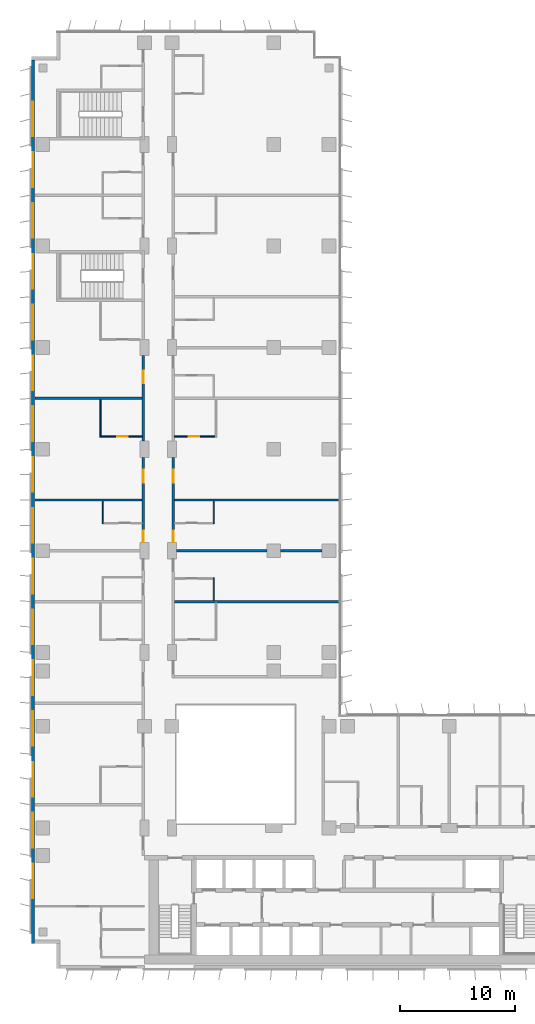
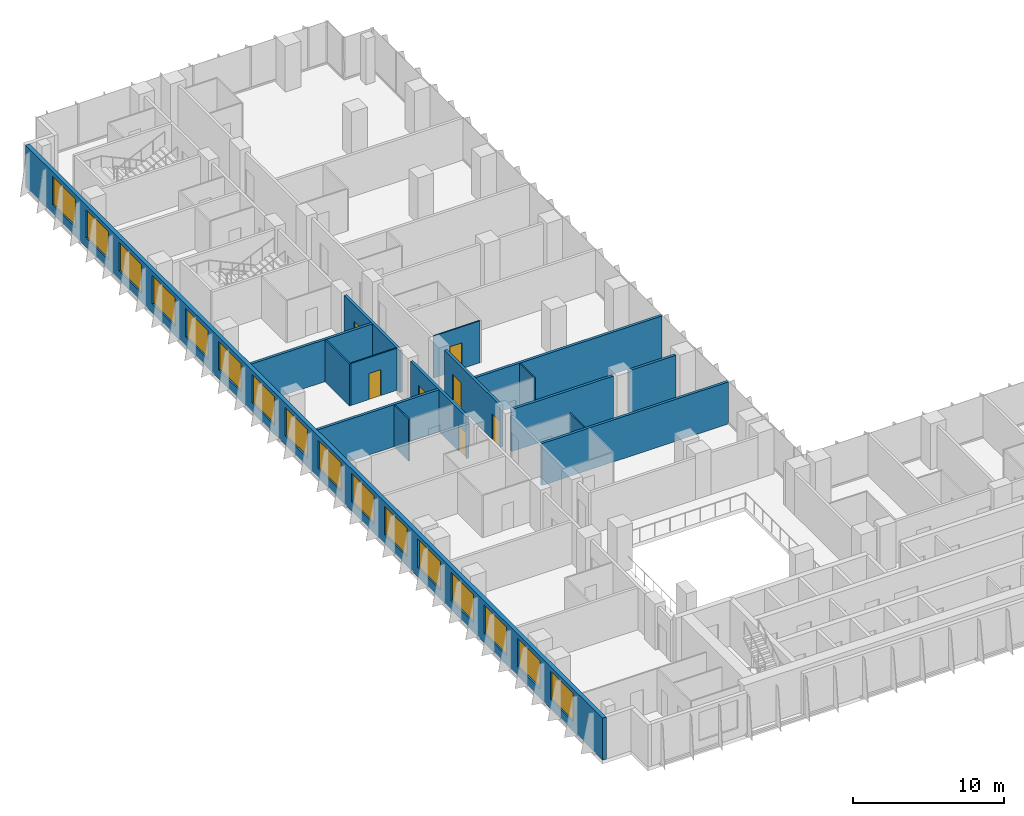
# One storey, part 16 of 23: 16 walls, 16 windows, 7 doors, 23 openings.
"""IFC4 building model written with IfcOpenShell, lengths in metres."""

import ifcopenshell
import ifcopenshell.guid

model = None  # the IFC model being written
_history = None  # IfcOwnerHistory: only IFC2X3 demands one
_inside = {}  # id of a spatial element -> (the spatial element, [elements in it])
_under = {}  # id of a project, library or spatial element -> (it, [spatial elements below it])
_declared = {}  # id of a project -> (the project, [libraries it declares])
_typed = {}  # id of a type object -> (the type object, [elements of that type])
_made_of = {}  # id of a material, layer set ... -> (it, [elements and type objects made of it])


def new_model(schema):
    """Start an empty IFC model of exactly this schema.

    Asked for "IFC4X3", IfcOpenShell would pick the latest addendum, in which some entities
    have other attributes; the version numbers below select the first issue.
    IFC2X3 requires an IfcOwnerHistory on every rooted entity: one is made here for all.
    """
    global model, _history
    if schema == "IFC4X3":
        model = ifcopenshell.file(schema_version=(4, 3, 0, 0))
    else:
        model = ifcopenshell.file(schema=schema)
    _inside.clear()
    _under.clear()
    _declared.clear()
    _typed.clear()
    _made_of.clear()
    _history = None
    if model.schema == "IFC2X3":
        org = make("IfcOrganization", Name="unknown")
        user = make(
            "IfcPersonAndOrganization",
            ThePerson=make("IfcPerson", FamilyName="unknown"),
            TheOrganization=org,
        )
        app = make(
            "IfcApplication",
            ApplicationDeveloper=org,
            Version="unknown",
            ApplicationFullName="unknown",
            ApplicationIdentifier="unknown",
        )
        _history = make(
            "IfcOwnerHistory",
            OwningUser=user,
            OwningApplication=app,
            ChangeAction="ADDED",
            CreationDate=0,
        )
    return model


def make(cls, **values):
    """One entity of the class cls with the attributes given. An attribute that is None is left unset."""
    return model.create_entity(
        cls, **{name: value for name, value in values.items() if value is not None}
    )


def rooted(cls, **values):
    """An entity with a GlobalId (a new one), such as an element, a storey or a relation."""
    return make(cls, GlobalId=ifcopenshell.guid.new(), OwnerHistory=_history, **values)


def si_unit(unit_type, name, prefix=None):
    """IfcSIUnit, for example si_unit("LENGTHUNIT", "METRE", prefix="MILLI")."""
    return make("IfcSIUnit", UnitType=unit_type, Prefix=prefix, Name=name)


def assignment(units):
    """IfcUnitAssignment: the units of a project."""
    return None if units is None else make("IfcUnitAssignment", Units=units)


def point(xyz):
    """IfcCartesianPoint."""
    return None if xyz is None else make("IfcCartesianPoint", Coordinates=xyz)


def direction(xyz):
    """IfcDirection."""
    return None if xyz is None else make("IfcDirection", DirectionRatios=xyz)


def frame(location, z_axis=None, x_axis=None):
    """IfcAxis2Placement3D, a coordinate frame: its origin and axes. An axis left out is left unset."""
    return make(
        "IfcAxis2Placement3D",
        Location=point(location),
        Axis=direction(z_axis),
        RefDirection=direction(x_axis),
    )


def frame_2d(location, x_axis=None):
    """IfcAxis2Placement2D, a coordinate frame in the plane: its origin and x axis."""
    return make(
        "IfcAxis2Placement2D", Location=point(location), RefDirection=direction(x_axis)
    )


def origin():
    """The frame at (0, 0, 0) with its axes left unset."""
    return frame((0.0, 0.0, 0.0))


def place(relative_to, where):
    """IfcLocalPlacement: puts the frame where relative to a parent placement (None: the world)."""
    return make(
        "IfcLocalPlacement", PlacementRelTo=relative_to, RelativePlacement=where
    )


def context(
    kind, dimensions, precision=None, world=None, true_north=None, identifier=None
):
    """IfcGeometricRepresentationContext, for example the 3D "Model" context."""
    return make(
        "IfcGeometricRepresentationContext",
        ContextIdentifier=identifier,
        ContextType=kind,
        CoordinateSpaceDimension=dimensions,
        Precision=precision,
        WorldCoordinateSystem=world,
        TrueNorth=true_north,
    )


def subcontext(parent, identifier, kind, view, scale=None):
    """IfcGeometricRepresentationSubContext, for example "Body" below "Model"."""
    return make(
        "IfcGeometricRepresentationSubContext",
        ContextIdentifier=identifier,
        ContextType=kind,
        ParentContext=parent,
        TargetScale=scale,
        TargetView=view,
    )


def project(units=None, contexts=None):
    """IfcProject with its units and contexts."""
    return rooted(
        "IfcProject",
        Name="project",
        RepresentationContexts=contexts,
        UnitsInContext=assignment(units),
    )


def spatial(cls, under=None, at=None, **own):
    """A site, building, storey or space (cls), placed at a placement, below another one or the project."""
    s = rooted(cls, ObjectPlacement=at, **own)
    if under is not None:
        _under.setdefault(under.id(), (under, []))[1].append(s)
    return s


def profile(cls, at=None, kind="AREA", **sizes):
    """A parametric profile (cls). Its sizes go by their IFC names, for example OverallWidth=200.0."""
    return make(cls, ProfileType=kind, Position=at, **sizes)


def rectangle(**sizes):
    """IfcRectangleProfileDef."""
    return profile("IfcRectangleProfileDef", **sizes)


def extrude(swept, where, along, depth):
    """IfcExtrudedAreaSolid: the profile swept, set in the frame where, extruded along a direction by depth."""
    return make(
        "IfcExtrudedAreaSolid",
        SweptArea=swept,
        Position=where,
        ExtrudedDirection=direction(along),
        Depth=depth,
    )


def shape(context_of_items, identifier, shape_type, items):
    """IfcShapeRepresentation: the items that make up one representation, for example the "Body"."""
    return make(
        "IfcShapeRepresentation",
        ContextOfItems=context_of_items,
        RepresentationIdentifier=identifier,
        RepresentationType=shape_type,
        Items=items,
    )


def material(Name=None, Category=None):
    """IfcMaterial."""
    return make("IfcMaterial", Name=Name, Category=Category)


def layer(
    of_material, thickness, ventilated=None, Name=None, Category=None, Priority=None
):
    """IfcMaterialLayer: one layer of a wall or slab, of a material (None: an air gap)."""
    return make(
        "IfcMaterialLayer",
        Material=of_material,
        LayerThickness=thickness,
        IsVentilated=ventilated,
        Name=Name,
        Category=Category,
        Priority=Priority,
    )


def layer_set(layers, Name=None):
    """IfcMaterialLayerSet."""
    return make("IfcMaterialLayerSet", MaterialLayers=layers, LayerSetName=Name)


def made_of(thing, what):
    """Note that an element or type object is made of a material, layer set ...; save() writes the relation."""
    if what is not None:
        _made_of.setdefault(what.id(), (what, []))[1].append(thing)
    return thing


def type_object(cls, material=None, **own):
    """A type object (cls), such as IfcWallType, which elements share."""
    return made_of(rooted(cls, **own), material)


def element(
    cls,
    number,
    at=None,
    inside=None,
    cuts=None,
    type_object=None,
    material=None,
    context=None,
    identifier="Body",
    shape_type=None,
    held_by="IfcProductDefinitionShape",
    body=None,
    shapes=None,
    **own,
):
    """One element of the class cls, such as IfcWall. Its Tag is "e" and its number.

    at: its placement. inside: the storey or other place that contains it. cuts: it is an
    opening in that element (IfcRelVoidsElement). A single representation is given by context,
    identifier, shape_type and body (its items); several are given by shapes. held_by: the class
    of the entity that holds the representations. save() writes the other relations.
    """
    e = rooted(cls, Tag="e%d" % number, ObjectPlacement=at, **own)
    if body is not None:
        shapes = [shape(context, identifier, shape_type, body)]
    if shapes is not None:
        e.Representation = make(held_by, Representations=shapes)
    if inside is not None:
        _inside.setdefault(inside.id(), (inside, []))[1].append(e)
    if cuts is not None:
        rooted(
            "IfcRelVoidsElement", RelatingBuildingElement=cuts, RelatedOpeningElement=e
        )
    if type_object is not None:
        _typed.setdefault(type_object.id(), (type_object, []))[1].append(e)
    return made_of(e, material)


def fill(opening, filler):
    """IfcRelFillsElement: the door or window that sits in an opening."""
    return rooted(
        "IfcRelFillsElement",
        RelatingOpeningElement=opening,
        RelatedBuildingElement=filler,
    )


def aggregate(whole, parts):
    """IfcRelAggregates: a whole, such as a stair, and the parts it consists of."""
    return rooted("IfcRelAggregates", RelatingObject=whole, RelatedObjects=parts)


def save(model, path):
    """Write the relations noted so far, then the file.

    IfcRelAggregates (storeys below a building ...), IfcRelContainedInSpatialStructure (elements
    in a storey), IfcRelDefinesByType, IfcRelAssociatesMaterial and IfcRelDeclares: one each for
    every whole, place, type object, material and project.
    """
    for whole, parts in _under.values():
        aggregate(whole, parts)
    for where, things in _inside.values():
        rooted(
            "IfcRelContainedInSpatialStructure",
            RelatedElements=things,
            RelatingStructure=where,
        )
    for kind, things in _typed.values():
        rooted("IfcRelDefinesByType", RelatedObjects=things, RelatingType=kind)
    for what, things in _made_of.values():
        rooted("IfcRelAssociatesMaterial", RelatedObjects=things, RelatingMaterial=what)
    for by, libraries in _declared.values():
        rooted("IfcRelDeclares", RelatingContext=by, RelatedDefinitions=libraries)
    model.write(path)


model = new_model("IFC4")

# Units and contexts
model_context = context("Model", 3, precision=1e-05, world=origin(), true_north=direction((0.0, 1.0)))
body_context = subcontext(model_context, "Body", "Model", "MODEL_VIEW")
ifc_project = project(units=[si_unit("LENGTHUNIT", "METRE"), si_unit("AREAUNIT", "SQUARE_METRE"), si_unit("VOLUMEUNIT", "CUBIC_METRE"), si_unit("PLANEANGLEUNIT", "RADIAN"), si_unit("MASSUNIT", "GRAM", prefix="KILO")], contexts=[model_context])

# Site, building, storey
site_placement = place(None, origin())
site = spatial("IfcSite", under=ifc_project, at=site_placement, CompositionType="ELEMENT")
building_placement = place(site_placement, origin())
building = spatial("IfcBuilding", under=site, at=building_placement, Name="Kemantara Hotel Tower", CompositionType="ELEMENT")
storey_placement = place(building_placement, frame((0.0, 0.0, 138.300048828125)))
storey = spatial("IfcBuildingStorey", under=building, at=storey_placement, Name="L33", CompositionType="ELEMENT", Elevation=138.300048828125)

# Wall, openings, windows
ifc_material_1 = material(Name="Bronze anodised aluminium cladding on insulated steel stud wall", Category="steel")
ifc_layer_1 = layer(ifc_material_1, 0.300048828125)
ifc_layer_set_1 = layer_set([ifc_layer_1], Name="Bronze anodised aluminium cladding on insulated steel stud wall")
wall_type_1 = type_object("IfcWallType", Name="BRONZE METAL-CLAD EXTERNAL WALL 300", PredefinedType="STANDARD", material=ifc_layer_set_1)
wall_1_placement = place(storey_placement, frame((0.14990234375, 78.699951171875, 0.0), z_axis=(0.0, 0.0, 1.0), x_axis=(0.0, -1.0, 0.0)))
wall_1 = element("IfcWall", 1, at=wall_1_placement, inside=storey, type_object=wall_type_1, Name="EXTERNAL WALL L33 T2-R04", PredefinedType="STANDARD", context=body_context, shape_type="SweptSolid", body=[
    extrude(rectangle(XDim=76.5, YDim=0.300048828125, at=frame_2d((38.25, 0.0))), origin(), (0.0, 0.0, 1.0), 3.39990234375),
])
opening_1_placement = place(wall_1_placement, frame((3.60009765625, 0.0, 0.75)))
opening_1 = element("IfcOpeningElement", 2, at=opening_1_placement, cuts=wall_1, Name="Opening W1", PredefinedType="OPENING", context=body_context, shape_type="SweptSolid", body=[
    extrude(rectangle(XDim=3.0, YDim=2.300048828125, at=frame_2d((1.5, 1.14990234375))), frame((0.0, 0.159912109375, 0.0), z_axis=(0.0, -1.0, 0.0), x_axis=(1.0, 0.0, 0.0)), (0.0, 0.0, 1.0), 0.320068359375),
])
opening_2_placement = place(wall_1_placement, frame((8.0, 0.0, 0.75)))
opening_2 = element("IfcOpeningElement", 3, at=opening_2_placement, cuts=wall_1, Name="Opening W1", PredefinedType="OPENING", context=body_context, shape_type="SweptSolid", body=[
    extrude(rectangle(XDim=3.0, YDim=2.300048828125, at=frame_2d((1.5, 1.14990234375))), frame((0.0, 0.159912109375, 0.0), z_axis=(0.0, -1.0, 0.0), x_axis=(1.0, 0.0, 0.0)), (0.0, 0.0, 1.0), 0.320068359375),
])
opening_3_placement = place(wall_1_placement, frame((12.39990234375, 0.0, 0.75)))
opening_3 = element("IfcOpeningElement", 4, at=opening_3_placement, cuts=wall_1, Name="Opening W1", PredefinedType="OPENING", context=body_context, shape_type="SweptSolid", body=[
    extrude(rectangle(XDim=3.0, YDim=2.300048828125, at=frame_2d((1.5, 1.14990234375))), frame((0.0, 0.159912109375, 0.0), z_axis=(0.0, -1.0, 0.0), x_axis=(1.0, 0.0, 0.0)), (0.0, 0.0, 1.0), 0.320068359375),
])
opening_4_placement = place(wall_1_placement, frame((16.800048828125, 0.0, 0.75)))
opening_4 = element("IfcOpeningElement", 5, at=opening_4_placement, cuts=wall_1, Name="Opening W1", PredefinedType="OPENING", context=body_context, shape_type="SweptSolid", body=[
    extrude(rectangle(XDim=3.0, YDim=2.300048828125, at=frame_2d((1.5, 1.14990234375))), frame((0.0, 0.159912109375, 0.0), z_axis=(0.0, -1.0, 0.0), x_axis=(1.0, 0.0, 0.0)), (0.0, 0.0, 1.0), 0.320068359375),
])
opening_5_placement = place(wall_1_placement, frame((21.199951171875, 0.0, 0.75)))
opening_5 = element("IfcOpeningElement", 6, at=opening_5_placement, cuts=wall_1, Name="Opening W1", PredefinedType="OPENING", context=body_context, shape_type="SweptSolid", body=[
    extrude(rectangle(XDim=3.0, YDim=2.300048828125, at=frame_2d((1.5, 1.14990234375))), frame((0.0, 0.159912109375, 0.0), z_axis=(0.0, -1.0, 0.0), x_axis=(1.0, 0.0, 0.0)), (0.0, 0.0, 1.0), 0.320068359375),
])
opening_6_placement = place(wall_1_placement, frame((25.60009765625, 0.0, 0.75)))
opening_6 = element("IfcOpeningElement", 7, at=opening_6_placement, cuts=wall_1, Name="Opening W1", PredefinedType="OPENING", context=body_context, shape_type="SweptSolid", body=[
    extrude(rectangle(XDim=3.0, YDim=2.300048828125, at=frame_2d((1.5, 1.14990234375))), frame((0.0, 0.159912109375, 0.0), z_axis=(0.0, -1.0, 0.0), x_axis=(1.0, 0.0, 0.0)), (0.0, 0.0, 1.0), 0.320068359375),
])
opening_7_placement = place(wall_1_placement, frame((30.0, 0.0, 0.75)))
opening_7 = element("IfcOpeningElement", 8, at=opening_7_placement, cuts=wall_1, Name="Opening W1", PredefinedType="OPENING", context=body_context, shape_type="SweptSolid", body=[
    extrude(rectangle(XDim=3.0, YDim=2.300048828125, at=frame_2d((1.5, 1.14990234375))), frame((0.0, 0.159912109375, 0.0), z_axis=(0.0, -1.0, 0.0), x_axis=(1.0, 0.0, 0.0)), (0.0, 0.0, 1.0), 0.320068359375),
])
opening_8_placement = place(wall_1_placement, frame((34.39990234375, 0.0, 0.75)))
opening_8 = element("IfcOpeningElement", 9, at=opening_8_placement, cuts=wall_1, Name="Opening W1", PredefinedType="OPENING", context=body_context, shape_type="SweptSolid", body=[
    extrude(rectangle(XDim=3.0, YDim=2.300048828125, at=frame_2d((1.5, 1.14990234375))), frame((0.0, 0.159912109375, 0.0), z_axis=(0.0, -1.0, 0.0), x_axis=(1.0, 0.0, 0.0)), (0.0, 0.0, 1.0), 0.320068359375),
])
opening_9_placement = place(wall_1_placement, frame((38.800048828125, 0.0, 0.75)))
opening_9 = element("IfcOpeningElement", 10, at=opening_9_placement, cuts=wall_1, Name="Opening W1", PredefinedType="OPENING", context=body_context, shape_type="SweptSolid", body=[
    extrude(rectangle(XDim=3.0, YDim=2.300048828125, at=frame_2d((1.5, 1.14990234375))), frame((0.0, 0.159912109375, 0.0), z_axis=(0.0, -1.0, 0.0), x_axis=(1.0, 0.0, 0.0)), (0.0, 0.0, 1.0), 0.320068359375),
])
opening_10_placement = place(wall_1_placement, frame((43.199951171875, 0.0, 0.75)))
opening_10 = element("IfcOpeningElement", 11, at=opening_10_placement, cuts=wall_1, Name="Opening W1", PredefinedType="OPENING", context=body_context, shape_type="SweptSolid", body=[
    extrude(rectangle(XDim=3.0, YDim=2.300048828125, at=frame_2d((1.5, 1.14990234375))), frame((0.0, 0.159912109375, 0.0), z_axis=(0.0, -1.0, 0.0), x_axis=(1.0, 0.0, 0.0)), (0.0, 0.0, 1.0), 0.320068359375),
])
opening_11_placement = place(wall_1_placement, frame((47.60009765625, 0.0, 0.75)))
opening_11 = element("IfcOpeningElement", 12, at=opening_11_placement, cuts=wall_1, Name="Opening W1", PredefinedType="OPENING", context=body_context, shape_type="SweptSolid", body=[
    extrude(rectangle(XDim=3.0, YDim=2.300048828125, at=frame_2d((1.5, 1.14990234375))), frame((0.0, 0.159912109375, 0.0), z_axis=(0.0, -1.0, 0.0), x_axis=(1.0, 0.0, 0.0)), (0.0, 0.0, 1.0), 0.320068359375),
])
opening_12_placement = place(wall_1_placement, frame((52.0, 0.0, 0.75)))
opening_12 = element("IfcOpeningElement", 13, at=opening_12_placement, cuts=wall_1, Name="Opening W1", PredefinedType="OPENING", context=body_context, shape_type="SweptSolid", body=[
    extrude(rectangle(XDim=3.0, YDim=2.300048828125, at=frame_2d((1.5, 1.14990234375))), frame((0.0, 0.159912109375, 0.0), z_axis=(0.0, -1.0, 0.0), x_axis=(1.0, 0.0, 0.0)), (0.0, 0.0, 1.0), 0.320068359375),
])
opening_13_placement = place(wall_1_placement, frame((56.39990234375, 0.0, 0.75)))
opening_13 = element("IfcOpeningElement", 14, at=opening_13_placement, cuts=wall_1, Name="Opening W1", PredefinedType="OPENING", context=body_context, shape_type="SweptSolid", body=[
    extrude(rectangle(XDim=3.0, YDim=2.300048828125, at=frame_2d((1.5, 1.14990234375))), frame((0.0, 0.159912109375, 0.0), z_axis=(0.0, -1.0, 0.0), x_axis=(1.0, 0.0, 0.0)), (0.0, 0.0, 1.0), 0.320068359375),
])
opening_14_placement = place(wall_1_placement, frame((60.800048828125, 0.0, 0.75)))
opening_14 = element("IfcOpeningElement", 15, at=opening_14_placement, cuts=wall_1, Name="Opening W1", PredefinedType="OPENING", context=body_context, shape_type="SweptSolid", body=[
    extrude(rectangle(XDim=3.0, YDim=2.300048828125, at=frame_2d((1.5, 1.14990234375))), frame((0.0, 0.159912109375, 0.0), z_axis=(0.0, -1.0, 0.0), x_axis=(1.0, 0.0, 0.0)), (0.0, 0.0, 1.0), 0.320068359375),
])
opening_15_placement = place(wall_1_placement, frame((65.199951171875, 0.0, 0.75)))
opening_15 = element("IfcOpeningElement", 16, at=opening_15_placement, cuts=wall_1, Name="Opening W1", PredefinedType="OPENING", context=body_context, shape_type="SweptSolid", body=[
    extrude(rectangle(XDim=3.0, YDim=2.300048828125, at=frame_2d((1.5, 1.14990234375))), frame((0.0, 0.159912109375, 0.0), z_axis=(0.0, -1.0, 0.0), x_axis=(1.0, 0.0, 0.0)), (0.0, 0.0, 1.0), 0.320068359375),
])
opening_16_placement = place(wall_1_placement, frame((69.60009765625, 0.0, 0.75)))
opening_16 = element("IfcOpeningElement", 17, at=opening_16_placement, cuts=wall_1, Name="Opening W1", PredefinedType="OPENING", context=body_context, shape_type="SweptSolid", body=[
    extrude(rectangle(XDim=3.0, YDim=2.300048828125, at=frame_2d((1.5, 1.14990234375))), frame((0.0, 0.159912109375, 0.0), z_axis=(0.0, -1.0, 0.0), x_axis=(1.0, 0.0, 0.0)), (0.0, 0.0, 1.0), 0.320068359375),
])
ifc_material_2 = material(Name="Low-E tinted double insulated glass in bronze anodised aluminium frame", Category="aluminium")
window_type = type_object("IfcWindowType", Name="CHICAGO WINDOW, TRIPLE PANEL 3000x2300", PartitioningType="TRIPLE_PANEL_VERTICAL", PredefinedType="WINDOW", material=ifc_material_2)
window_1_placement = place(opening_1_placement, origin())
window_1 = element("IfcWindow", 18, at=window_1_placement, inside=storey, type_object=window_type, Name="CHICAGO WINDOW L33 T2-R04-54", OverallHeight=2.300048828125, OverallWidth=3.0, PartitioningType="SINGLE_PANEL", PredefinedType="WINDOW", context=body_context, shape_type="SweptSolid", body=[
    extrude(rectangle(XDim=3.0, YDim=2.300048828125, at=frame_2d((1.5, 1.14990234375))), frame((0.0, 0.030029296875, 0.0), z_axis=(0.0, -1.0, 0.0), x_axis=(1.0, 0.0, 0.0)), (0.0, 0.0, 1.0), 0.06005859375),
])
fill(opening_1, window_1)
window_2_placement = place(opening_2_placement, origin())
window_2 = element("IfcWindow", 19, at=window_2_placement, inside=storey, type_object=window_type, Name="CHICAGO WINDOW L33 T2-R04-98", OverallHeight=2.300048828125, OverallWidth=3.0, PartitioningType="SINGLE_PANEL", PredefinedType="WINDOW", context=body_context, shape_type="SweptSolid", body=[
    extrude(rectangle(XDim=3.0, YDim=2.300048828125, at=frame_2d((1.5, 1.14990234375))), frame((0.0, 0.030029296875, 0.0), z_axis=(0.0, -1.0, 0.0), x_axis=(1.0, 0.0, 0.0)), (0.0, 0.0, 1.0), 0.06005859375),
])
fill(opening_2, window_2)
window_3_placement = place(opening_3_placement, origin())
window_3 = element("IfcWindow", 20, at=window_3_placement, inside=storey, type_object=window_type, Name="CHICAGO WINDOW L33 T2-R04-142", OverallHeight=2.300048828125, OverallWidth=3.0, PartitioningType="SINGLE_PANEL", PredefinedType="WINDOW", context=body_context, shape_type="SweptSolid", body=[
    extrude(rectangle(XDim=3.0, YDim=2.300048828125, at=frame_2d((1.5, 1.14990234375))), frame((0.0, 0.030029296875, 0.0), z_axis=(0.0, -1.0, 0.0), x_axis=(1.0, 0.0, 0.0)), (0.0, 0.0, 1.0), 0.06005859375),
])
fill(opening_3, window_3)
window_4_placement = place(opening_4_placement, origin())
window_4 = element("IfcWindow", 21, at=window_4_placement, inside=storey, type_object=window_type, Name="CHICAGO WINDOW L33 T2-R04-186", OverallHeight=2.300048828125, OverallWidth=3.0, PartitioningType="SINGLE_PANEL", PredefinedType="WINDOW", context=body_context, shape_type="SweptSolid", body=[
    extrude(rectangle(XDim=3.0, YDim=2.300048828125, at=frame_2d((1.5, 1.14990234375))), frame((0.0, 0.030029296875, 0.0), z_axis=(0.0, -1.0, 0.0), x_axis=(1.0, 0.0, 0.0)), (0.0, 0.0, 1.0), 0.06005859375),
])
fill(opening_4, window_4)
window_5_placement = place(opening_5_placement, origin())
window_5 = element("IfcWindow", 22, at=window_5_placement, inside=storey, type_object=window_type, Name="CHICAGO WINDOW L33 T2-R04-230", OverallHeight=2.300048828125, OverallWidth=3.0, PartitioningType="SINGLE_PANEL", PredefinedType="WINDOW", context=body_context, shape_type="SweptSolid", body=[
    extrude(rectangle(XDim=3.0, YDim=2.300048828125, at=frame_2d((1.5, 1.14990234375))), frame((0.0, 0.030029296875, 0.0), z_axis=(0.0, -1.0, 0.0), x_axis=(1.0, 0.0, 0.0)), (0.0, 0.0, 1.0), 0.06005859375),
])
fill(opening_5, window_5)
window_6_placement = place(opening_6_placement, origin())
window_6 = element("IfcWindow", 23, at=window_6_placement, inside=storey, type_object=window_type, Name="CHICAGO WINDOW L33 T2-R04-274", OverallHeight=2.300048828125, OverallWidth=3.0, PartitioningType="SINGLE_PANEL", PredefinedType="WINDOW", context=body_context, shape_type="SweptSolid", body=[
    extrude(rectangle(XDim=3.0, YDim=2.300048828125, at=frame_2d((1.5, 1.14990234375))), frame((0.0, 0.030029296875, 0.0), z_axis=(0.0, -1.0, 0.0), x_axis=(1.0, 0.0, 0.0)), (0.0, 0.0, 1.0), 0.06005859375),
])
fill(opening_6, window_6)
window_7_placement = place(opening_7_placement, origin())
window_7 = element("IfcWindow", 24, at=window_7_placement, inside=storey, type_object=window_type, Name="CHICAGO WINDOW L33 T2-R04-318", OverallHeight=2.300048828125, OverallWidth=3.0, PartitioningType="SINGLE_PANEL", PredefinedType="WINDOW", context=body_context, shape_type="SweptSolid", body=[
    extrude(rectangle(XDim=3.0, YDim=2.300048828125, at=frame_2d((1.5, 1.14990234375))), frame((0.0, 0.030029296875, 0.0), z_axis=(0.0, -1.0, 0.0), x_axis=(1.0, 0.0, 0.0)), (0.0, 0.0, 1.0), 0.06005859375),
])
fill(opening_7, window_7)
window_8_placement = place(opening_8_placement, origin())
window_8 = element("IfcWindow", 25, at=window_8_placement, inside=storey, type_object=window_type, Name="CHICAGO WINDOW L33 T2-R04-362", OverallHeight=2.300048828125, OverallWidth=3.0, PartitioningType="SINGLE_PANEL", PredefinedType="WINDOW", context=body_context, shape_type="SweptSolid", body=[
    extrude(rectangle(XDim=3.0, YDim=2.300048828125, at=frame_2d((1.5, 1.14990234375))), frame((0.0, 0.030029296875, 0.0), z_axis=(0.0, -1.0, 0.0), x_axis=(1.0, 0.0, 0.0)), (0.0, 0.0, 1.0), 0.06005859375),
])
fill(opening_8, window_8)
window_9_placement = place(opening_9_placement, origin())
window_9 = element("IfcWindow", 26, at=window_9_placement, inside=storey, type_object=window_type, Name="CHICAGO WINDOW L33 T2-R04-406", OverallHeight=2.300048828125, OverallWidth=3.0, PartitioningType="SINGLE_PANEL", PredefinedType="WINDOW", context=body_context, shape_type="SweptSolid", body=[
    extrude(rectangle(XDim=3.0, YDim=2.300048828125, at=frame_2d((1.5, 1.14990234375))), frame((0.0, 0.030029296875, 0.0), z_axis=(0.0, -1.0, 0.0), x_axis=(1.0, 0.0, 0.0)), (0.0, 0.0, 1.0), 0.06005859375),
])
fill(opening_9, window_9)
window_10_placement = place(opening_10_placement, origin())
window_10 = element("IfcWindow", 27, at=window_10_placement, inside=storey, type_object=window_type, Name="CHICAGO WINDOW L33 T2-R04-450", OverallHeight=2.300048828125, OverallWidth=3.0, PartitioningType="SINGLE_PANEL", PredefinedType="WINDOW", context=body_context, shape_type="SweptSolid", body=[
    extrude(rectangle(XDim=3.0, YDim=2.300048828125, at=frame_2d((1.5, 1.14990234375))), frame((0.0, 0.030029296875, 0.0), z_axis=(0.0, -1.0, 0.0), x_axis=(1.0, 0.0, 0.0)), (0.0, 0.0, 1.0), 0.06005859375),
])
fill(opening_10, window_10)
window_11_placement = place(opening_11_placement, origin())
window_11 = element("IfcWindow", 28, at=window_11_placement, inside=storey, type_object=window_type, Name="CHICAGO WINDOW L33 T2-R04-494", OverallHeight=2.300048828125, OverallWidth=3.0, PartitioningType="SINGLE_PANEL", PredefinedType="WINDOW", context=body_context, shape_type="SweptSolid", body=[
    extrude(rectangle(XDim=3.0, YDim=2.300048828125, at=frame_2d((1.5, 1.14990234375))), frame((0.0, 0.030029296875, 0.0), z_axis=(0.0, -1.0, 0.0), x_axis=(1.0, 0.0, 0.0)), (0.0, 0.0, 1.0), 0.06005859375),
])
fill(opening_11, window_11)
window_12_placement = place(opening_12_placement, origin())
window_12 = element("IfcWindow", 29, at=window_12_placement, inside=storey, type_object=window_type, Name="CHICAGO WINDOW L33 T2-R04-538", OverallHeight=2.300048828125, OverallWidth=3.0, PartitioningType="SINGLE_PANEL", PredefinedType="WINDOW", context=body_context, shape_type="SweptSolid", body=[
    extrude(rectangle(XDim=3.0, YDim=2.300048828125, at=frame_2d((1.5, 1.14990234375))), frame((0.0, 0.030029296875, 0.0), z_axis=(0.0, -1.0, 0.0), x_axis=(1.0, 0.0, 0.0)), (0.0, 0.0, 1.0), 0.06005859375),
])
fill(opening_12, window_12)
window_13_placement = place(opening_13_placement, origin())
window_13 = element("IfcWindow", 30, at=window_13_placement, inside=storey, type_object=window_type, Name="CHICAGO WINDOW L33 T2-R04-582", OverallHeight=2.300048828125, OverallWidth=3.0, PartitioningType="SINGLE_PANEL", PredefinedType="WINDOW", context=body_context, shape_type="SweptSolid", body=[
    extrude(rectangle(XDim=3.0, YDim=2.300048828125, at=frame_2d((1.5, 1.14990234375))), frame((0.0, 0.030029296875, 0.0), z_axis=(0.0, -1.0, 0.0), x_axis=(1.0, 0.0, 0.0)), (0.0, 0.0, 1.0), 0.06005859375),
])
fill(opening_13, window_13)
window_14_placement = place(opening_14_placement, origin())
window_14 = element("IfcWindow", 31, at=window_14_placement, inside=storey, type_object=window_type, Name="CHICAGO WINDOW L33 T2-R04-626", OverallHeight=2.300048828125, OverallWidth=3.0, PartitioningType="SINGLE_PANEL", PredefinedType="WINDOW", context=body_context, shape_type="SweptSolid", body=[
    extrude(rectangle(XDim=3.0, YDim=2.300048828125, at=frame_2d((1.5, 1.14990234375))), frame((0.0, 0.030029296875, 0.0), z_axis=(0.0, -1.0, 0.0), x_axis=(1.0, 0.0, 0.0)), (0.0, 0.0, 1.0), 0.06005859375),
])
fill(opening_14, window_14)
window_15_placement = place(opening_15_placement, origin())
window_15 = element("IfcWindow", 32, at=window_15_placement, inside=storey, type_object=window_type, Name="CHICAGO WINDOW L33 T2-R04-670", OverallHeight=2.300048828125, OverallWidth=3.0, PartitioningType="SINGLE_PANEL", PredefinedType="WINDOW", context=body_context, shape_type="SweptSolid", body=[
    extrude(rectangle(XDim=3.0, YDim=2.300048828125, at=frame_2d((1.5, 1.14990234375))), frame((0.0, 0.030029296875, 0.0), z_axis=(0.0, -1.0, 0.0), x_axis=(1.0, 0.0, 0.0)), (0.0, 0.0, 1.0), 0.06005859375),
])
fill(opening_15, window_15)
window_16_placement = place(opening_16_placement, origin())
window_16 = element("IfcWindow", 33, at=window_16_placement, inside=storey, type_object=window_type, Name="CHICAGO WINDOW L33 T2-R04-714", OverallHeight=2.300048828125, OverallWidth=3.0, PartitioningType="SINGLE_PANEL", PredefinedType="WINDOW", context=body_context, shape_type="SweptSolid", body=[
    extrude(rectangle(XDim=3.0, YDim=2.300048828125, at=frame_2d((1.5, 1.14990234375))), frame((0.0, 0.030029296875, 0.0), z_axis=(0.0, -1.0, 0.0), x_axis=(1.0, 0.0, 0.0)), (0.0, 0.0, 1.0), 0.06005859375),
])
fill(opening_16, window_16)

# Wall, openings, doors
ifc_material_3 = material(Name="Gypsum board partition, steel studs and mineral wool, 200 mm", Category="steel")
ifc_layer_2 = layer(ifc_material_3, 0.199951171875)
ifc_layer_set_2 = layer_set([ifc_layer_2], Name="Gypsum board partition, steel studs and mineral wool, 200 mm")
wall_type_2 = type_object("IfcWallType", Name="CORRIDOR WALL 200", PredefinedType="PARTITIONING", material=ifc_layer_set_2)
wall_2_placement = place(storey_placement, frame((9.699951171875, 36.900146484375, 0.0), z_axis=(0.0, 0.0, 1.0), x_axis=(0.0, 1.0, 0.0)))
wall_2 = element("IfcWall", 34, at=wall_2_placement, inside=storey, type_object=wall_type_2, Name="CORRIDOR WALL 200 021", PredefinedType="PARTITIONING", context=body_context, shape_type="SweptSolid", body=[
    extrude(rectangle(XDim=7.399658203125, YDim=0.199951171875, at=frame_2d((3.69970703125, 0.0))), origin(), (0.0, 0.0, 1.0), 3.39990234375),
])
opening_17_placement = place(wall_2_placement, frame((0.0498046875, 0.0, 0.0)))
opening_17 = element("IfcOpeningElement", 35, at=opening_17_placement, cuts=wall_2, Name="Opening F15-029", PredefinedType="OPENING", context=body_context, shape_type="SweptSolid", body=[
    extrude(rectangle(XDim=1.0, YDim=2.10009765625, at=frame_2d((0.5, 1.050048828125))), frame((0.0, 0.10986328125, 0.0), z_axis=(0.0, -1.0, 0.0), x_axis=(1.0, 0.0, 0.0)), (0.0, 0.0, 1.0), 0.219970703125),
])
opening_18_placement = place(wall_2_placement, frame((5.199951171875, 0.0, 0.0)))
opening_18 = element("IfcOpeningElement", 36, at=opening_18_placement, cuts=wall_2, Name="Opening F15-031", PredefinedType="OPENING", context=body_context, shape_type="SweptSolid", body=[
    extrude(rectangle(XDim=1.10009765625, YDim=2.10009765625, at=frame_2d((0.550048828125, 1.050048828125))), frame((0.0, 0.10986328125, 0.0), z_axis=(0.0, -1.0, 0.0), x_axis=(1.0, 0.0, 0.0)), (0.0, 0.0, 1.0), 0.219970703125),
])
ifc_material_4 = material(Name="Hardwood veneer door leaf with steel frame", Category="steel")
door_type_1 = type_object("IfcDoorType", Name="GUEST ROOM DOOR 1000 X 2100 FD30S", OperationType="NOTDEFINED", PredefinedType="DOOR", material=ifc_material_4)
door_1_placement = place(opening_17_placement, origin())
door_1 = element("IfcDoor", 37, at=door_1_placement, inside=storey, type_object=door_type_1, Name="GUEST ROOM DOOR F15-029", OperationType="SINGLE_SWING_LEFT", OverallHeight=2.10009765625, OverallWidth=1.0, PredefinedType="DOOR", context=body_context, shape_type="SweptSolid", body=[
    extrude(rectangle(XDim=1.0, YDim=2.10009765625, at=frame_2d((0.5, 1.050048828125))), frame((0.0, 0.02490234375, 0.0), z_axis=(0.0, -1.0, 0.0), x_axis=(1.0, 0.0, 0.0)), (0.0, 0.0, 1.0), 0.050048828125),
])
fill(opening_17, door_1)
door_type_2 = type_object("IfcDoorType", Name="SUITE ENTRANCE DOOR 1100 X 2100 FD30S", OperationType="NOTDEFINED", PredefinedType="DOOR", material=ifc_material_4)
door_2_placement = place(opening_18_placement, origin())
door_2 = element("IfcDoor", 38, at=door_2_placement, inside=storey, type_object=door_type_2, Name="SUITE ENTRANCE DOOR F15-031", OperationType="SINGLE_SWING_LEFT", OverallHeight=2.10009765625, OverallWidth=1.10009765625, PredefinedType="DOOR", context=body_context, shape_type="SweptSolid", body=[
    extrude(rectangle(XDim=1.10009765625, YDim=2.10009765625, at=frame_2d((0.550048828125, 1.050048828125))), frame((0.0, 0.02490234375, 0.0), z_axis=(0.0, -1.0, 0.0), x_axis=(1.0, 0.0, 0.0)), (0.0, 0.0, 1.0), 0.050048828125),
])
fill(opening_18, door_2)

# Wall, opening, door
wall_3_placement = place(storey_placement, frame((9.699951171875, 45.7001953125, 0.0), z_axis=(0.0, 0.0, 1.0), x_axis=(0.0, 1.0, 0.0)))
wall_3 = element("IfcWall", 39, at=wall_3_placement, inside=storey, type_object=wall_type_2, Name="CORRIDOR WALL 200 022", PredefinedType="PARTITIONING", context=body_context, shape_type="SweptSolid", body=[
    extrude(rectangle(XDim=7.399658203125, YDim=0.199951171875, at=frame_2d((3.69970703125, 0.0))), origin(), (0.0, 0.0, 1.0), 3.39990234375),
])
opening_19_placement = place(wall_3_placement, frame((5.0, 0.0, 0.0)))
opening_19 = element("IfcOpeningElement", 40, at=opening_19_placement, cuts=wall_3, Name="Opening F15-033", PredefinedType="OPENING", context=body_context, shape_type="SweptSolid", body=[
    extrude(rectangle(XDim=1.10009765625, YDim=2.10009765625, at=frame_2d((0.550048828125, 1.050048828125))), frame((0.0, 0.10986328125, 0.0), z_axis=(0.0, -1.0, 0.0), x_axis=(1.0, 0.0, 0.0)), (0.0, 0.0, 1.0), 0.219970703125),
])
door_3_placement = place(opening_19_placement, origin())
door_3 = element("IfcDoor", 41, at=door_3_placement, inside=storey, type_object=door_type_2, Name="SUITE ENTRANCE DOOR F15-033", OperationType="SINGLE_SWING_LEFT", OverallHeight=2.10009765625, OverallWidth=1.10009765625, PredefinedType="DOOR", context=body_context, shape_type="SweptSolid", body=[
    extrude(rectangle(XDim=1.10009765625, YDim=2.10009765625, at=frame_2d((0.550048828125, 1.050048828125))), frame((0.0, 0.02490234375, 0.0), z_axis=(0.0, -1.0, 0.0), x_axis=(1.0, 0.0, 0.0)), (0.0, 0.0, 1.0), 0.050048828125),
])
fill(opening_19, door_3)

# Wall, openings, doors
wall_4_placement = place(storey_placement, frame((12.300048828125, 44.2998046875, 0.0), z_axis=(0.0, 0.0, 1.0), x_axis=(0.0, -1.0, 0.0)))
wall_4 = element("IfcWall", 42, at=wall_4_placement, inside=storey, type_object=wall_type_2, Name="CORRIDOR WALL 200 041", PredefinedType="PARTITIONING", context=body_context, shape_type="SweptSolid", body=[
    extrude(rectangle(XDim=7.399658203125, YDim=0.199951171875, at=frame_2d((3.69970703125, 0.0))), origin(), (0.0, 0.0, 1.0), 3.39990234375),
])
opening_20_placement = place(wall_4_placement, frame((6.349853515625, 0.0, 0.0)))
opening_20 = element("IfcOpeningElement", 43, at=opening_20_placement, cuts=wall_4, Name="Opening F15-045", PredefinedType="OPENING", context=body_context, shape_type="SweptSolid", body=[
    extrude(rectangle(XDim=1.0, YDim=2.10009765625, at=frame_2d((0.5, 1.050048828125))), frame((0.0, 0.10986328125, 0.0), z_axis=(0.0, -1.0, 0.0), x_axis=(1.0, 0.0, 0.0)), (0.0, 0.0, 1.0), 0.219970703125),
])
opening_21_placement = place(wall_4_placement, frame((1.099853515625, 0.0, 0.0)))
opening_21 = element("IfcOpeningElement", 44, at=opening_21_placement, cuts=wall_4, Name="Opening F15-047", PredefinedType="OPENING", context=body_context, shape_type="SweptSolid", body=[
    extrude(rectangle(XDim=1.10009765625, YDim=2.10009765625, at=frame_2d((0.550048828125, 1.050048828125))), frame((0.0, 0.10986328125, 0.0), z_axis=(0.0, -1.0, 0.0), x_axis=(1.0, 0.0, 0.0)), (0.0, 0.0, 1.0), 0.219970703125),
])
door_4_placement = place(opening_20_placement, origin())
door_4 = element("IfcDoor", 45, at=door_4_placement, inside=storey, type_object=door_type_1, Name="GUEST ROOM DOOR F15-045", OperationType="SINGLE_SWING_RIGHT", OverallHeight=2.10009765625, OverallWidth=1.0, PredefinedType="DOOR", context=body_context, shape_type="SweptSolid", body=[
    extrude(rectangle(XDim=1.0, YDim=2.10009765625, at=frame_2d((0.5, 1.050048828125))), frame((0.0, 0.02490234375, 0.0), z_axis=(0.0, -1.0, 0.0), x_axis=(1.0, 0.0, 0.0)), (0.0, 0.0, 1.0), 0.050048828125),
])
fill(opening_20, door_4)
door_5_placement = place(opening_21_placement, origin())
door_5 = element("IfcDoor", 46, at=door_5_placement, inside=storey, type_object=door_type_2, Name="SUITE ENTRANCE DOOR F15-047", OperationType="SINGLE_SWING_RIGHT", OverallHeight=2.10009765625, OverallWidth=1.10009765625, PredefinedType="DOOR", context=body_context, shape_type="SweptSolid", body=[
    extrude(rectangle(XDim=1.10009765625, YDim=2.10009765625, at=frame_2d((0.550048828125, 1.050048828125))), frame((0.0, 0.02490234375, 0.0), z_axis=(0.0, -1.0, 0.0), x_axis=(1.0, 0.0, 0.0)), (0.0, 0.0, 1.0), 0.050048828125),
])
fill(opening_21, door_5)

# Walls
ifc_layer_3 = layer(ifc_material_3, 0.199951171875)
ifc_layer_set_3 = layer_set([ifc_layer_3], Name="Gypsum board partition, steel studs and mineral wool, 200 mm")
wall_type_3 = type_object("IfcWallType", Name="GUEST ROOM PARTY WALL 200", PredefinedType="PARTITIONING", material=ifc_layer_set_3)
wall_5_placement = place(storey_placement, frame((12.39990234375, 31.800048828125, 0.0), z_axis=(0.0, 0.0, 1.0), x_axis=(1.0, 0.0, 0.0)))
element("IfcWall", 47, at=wall_5_placement, inside=storey, type_object=wall_type_3, Name="GUEST ROOM PARTY WALL 200 029", PredefinedType="PARTITIONING", context=body_context, shape_type="SweptSolid", body=[
    extrude(rectangle(XDim=14.27001953125, YDim=0.199951171875, at=frame_2d((7.135009765625, 0.0))), origin(), (0.0, 0.0, 1.0), 3.39990234375),
])
wall_6_placement = place(storey_placement, frame((12.60009765625, 36.199951171875, 0.0), z_axis=(0.0, 0.0, 1.0), x_axis=(1.0, 0.0, 0.0)))
element("IfcWall", 48, at=wall_6_placement, inside=storey, type_object=wall_type_3, Name="GUEST ROOM PARTY WALL 200 031", PredefinedType="PARTITIONING", context=body_context, shape_type="SweptSolid", body=[
    extrude(rectangle(XDim=7.7998046875, YDim=0.199951171875, at=frame_2d((3.89990234375, 0.0))), origin(), (0.0, 0.0, 1.0), 3.39990234375),
])
wall_7_placement = place(storey_placement, frame((21.60009765625, 36.199951171875, 0.0), z_axis=(0.0, 0.0, 1.0), x_axis=(1.0, 0.0, 0.0)))
element("IfcWall", 49, at=wall_7_placement, inside=storey, type_object=wall_type_3, Name="GUEST ROOM PARTY WALL 200 032", PredefinedType="PARTITIONING", context=body_context, shape_type="SweptSolid", body=[
    extrude(rectangle(XDim=3.599853515625, YDim=0.199951171875, at=frame_2d((1.7998046875, 0.0))), origin(), (0.0, 0.0, 1.0), 3.39990234375),
])
wall_8_placement = place(storey_placement, frame((0.31005859375, 40.60009765625, 0.0), z_axis=(0.0, 0.0, 1.0), x_axis=(1.0, 0.0, 0.0)))
element("IfcWall", 50, at=wall_8_placement, inside=storey, type_object=wall_type_3, Name="GUEST ROOM PARTY WALL 200 033", PredefinedType="PARTITIONING", context=body_context, shape_type="SweptSolid", body=[
    extrude(rectangle(XDim=9.2900390625, YDim=0.199951171875, at=frame_2d((4.64501953125, 0.0))), origin(), (0.0, 0.0, 1.0), 3.39990234375),
])
wall_9_placement = place(storey_placement, frame((12.39990234375, 40.60009765625, 0.0), z_axis=(0.0, 0.0, 1.0), x_axis=(1.0, 0.0, 0.0)))
element("IfcWall", 51, at=wall_9_placement, inside=storey, type_object=wall_type_3, Name="GUEST ROOM PARTY WALL 200 034", PredefinedType="PARTITIONING", context=body_context, shape_type="SweptSolid", body=[
    extrude(rectangle(XDim=14.27001953125, YDim=0.199951171875, at=frame_2d((7.135009765625, 0.0))), origin(), (0.0, 0.0, 1.0), 3.39990234375),
])
wall_10_placement = place(storey_placement, frame((0.31005859375, 49.39990234375, 0.0), z_axis=(0.0, 0.0, 1.0), x_axis=(1.0, 0.0, 0.0)))
element("IfcWall", 52, at=wall_10_placement, inside=storey, type_object=wall_type_3, Name="GUEST ROOM PARTY WALL 200 035", PredefinedType="PARTITIONING", context=body_context, shape_type="SweptSolid", body=[
    extrude(rectangle(XDim=9.2900390625, YDim=0.199951171875, at=frame_2d((4.64501953125, 0.0))), origin(), (0.0, 0.0, 1.0), 3.39990234375),
])
ifc_material_5 = material(Name="Gypsum board partition on steel studs, 100 mm", Category="steel")
ifc_layer_4 = layer(ifc_material_5, 0.10009765625)
ifc_layer_set_4 = layer_set([ifc_layer_4], Name="Gypsum board partition on steel studs, 100 mm")
wall_type_4 = type_object("IfcWallType", Name="ROOM PARTITION 100", PredefinedType="PARTITIONING", material=ifc_layer_set_4)
wall_11_placement = place(storey_placement, frame((6.0, 46.050048828125, 0.0), z_axis=(0.0, 0.0, 1.0), x_axis=(0.0, 1.0, 0.0)))
element("IfcWall", 53, at=wall_11_placement, inside=storey, type_object=wall_type_4, Name="ROOM PARTITION 100 077", PredefinedType="PARTITIONING", context=body_context, shape_type="SweptSolid", body=[
    extrude(rectangle(XDim=3.25, YDim=0.10009765625, at=frame_2d((1.625, 0.0))), origin(), (0.0, 0.0, 1.0), 3.39990234375),
])
wall_12_placement = place(storey_placement, frame((6.199951171875, 38.550048828125, 0.0), z_axis=(0.0, 0.0, 1.0), x_axis=(0.0, 1.0, 0.0)))
element("IfcWall", 54, at=wall_12_placement, inside=storey, type_object=wall_type_4, Name="ROOM PARTITION 100 083", PredefinedType="PARTITIONING", context=body_context, shape_type="SweptSolid", body=[
    extrude(rectangle(XDim=1.949951171875, YDim=0.10009765625, at=frame_2d((0.97509765625, 0.0))), origin(), (0.0, 0.0, 1.0), 3.39990234375),
])

# Wall, opening, door
wall_13_placement = place(storey_placement, frame((6.050048828125, 46.10009765625, 0.0), z_axis=(0.0, 0.0, 1.0), x_axis=(1.0, 0.0, 0.0)))
wall_13 = element("IfcWall", 55, at=wall_13_placement, inside=storey, type_object=wall_type_4, Name="ROOM PARTITION 100 089", PredefinedType="PARTITIONING", context=body_context, shape_type="SweptSolid", body=[
    extrude(rectangle(XDim=3.550048828125, YDim=0.10009765625, at=frame_2d((1.77490234375, 0.0))), origin(), (0.0, 0.0, 1.0), 3.39990234375),
])
opening_22_placement = place(wall_13_placement, frame((1.39990234375, 0.0, 0.0)))
opening_22 = element("IfcOpeningElement", 56, at=opening_22_placement, cuts=wall_13, Name="Opening F15-032", PredefinedType="OPENING", context=body_context, shape_type="SweptSolid", body=[
    extrude(rectangle(XDim=0.89990234375, YDim=2.10009765625, at=frame_2d((0.449951171875, 1.050048828125))), frame((0.0, 0.06005859375, 0.0), z_axis=(0.0, -1.0, 0.0), x_axis=(1.0, 0.0, 0.0)), (0.0, 0.0, 1.0), 0.1201171875),
])
door_type_3 = type_object("IfcDoorType", Name="BATHROOM DOOR 900 X 2100", OperationType="NOTDEFINED", PredefinedType="DOOR", material=ifc_material_4)
door_6_placement = place(opening_22_placement, origin())
door_6 = element("IfcDoor", 57, at=door_6_placement, inside=storey, type_object=door_type_3, Name="BATHROOM DOOR F15-032", OperationType="SINGLE_SWING_RIGHT", OverallHeight=2.10009765625, OverallWidth=0.89990234375, PredefinedType="DOOR", context=body_context, shape_type="SweptSolid", body=[
    extrude(rectangle(XDim=0.89990234375, YDim=2.10009765625, at=frame_2d((0.449951171875, 1.050048828125))), frame((0.0, 0.02490234375, 0.0), z_axis=(0.0, -1.0, 0.0), x_axis=(1.0, 0.0, 0.0)), (0.0, 0.0, 1.0), 0.050048828125),
])
fill(opening_22, door_6)

wall_14_placement = place(storey_placement, frame((12.39990234375, 46.10009765625, 0.0), z_axis=(0.0, 0.0, 1.0), x_axis=(1.0, 0.0, 0.0)))
wall_14 = element("IfcWall", 58, at=wall_14_placement, inside=storey, type_object=wall_type_4, Name="ROOM PARTITION 100 090", PredefinedType="PARTITIONING", context=body_context, shape_type="SweptSolid", body=[
    extrude(rectangle(XDim=3.550048828125, YDim=0.10009765625, at=frame_2d((1.77490234375, 0.0))), origin(), (0.0, 0.0, 1.0), 3.39990234375),
])
opening_23_placement = place(wall_14_placement, frame((1.25, 0.0, 0.0)))
opening_23 = element("IfcOpeningElement", 59, at=opening_23_placement, cuts=wall_14, Name="Opening F15-048", PredefinedType="OPENING", context=body_context, shape_type="SweptSolid", body=[
    extrude(rectangle(XDim=0.89990234375, YDim=2.10009765625, at=frame_2d((0.449951171875, 1.050048828125))), frame((0.0, 0.06005859375, 0.0), z_axis=(0.0, -1.0, 0.0), x_axis=(1.0, 0.0, 0.0)), (0.0, 0.0, 1.0), 0.1201171875),
])
door_7_placement = place(opening_23_placement, origin())
door_7 = element("IfcDoor", 60, at=door_7_placement, inside=storey, type_object=door_type_3, Name="BATHROOM DOOR F15-048", OperationType="SINGLE_SWING_LEFT", OverallHeight=2.10009765625, OverallWidth=0.89990234375, PredefinedType="DOOR", context=body_context, shape_type="SweptSolid", body=[
    extrude(rectangle(XDim=0.89990234375, YDim=2.10009765625, at=frame_2d((0.449951171875, 1.050048828125))), frame((0.0, 0.02490234375, 0.0), z_axis=(0.0, -1.0, 0.0), x_axis=(1.0, 0.0, 0.0)), (0.0, 0.0, 1.0), 0.050048828125),
])
fill(opening_23, door_7)

# Walls
wall_15_placement = place(storey_placement, frame((15.800048828125, 31.89990234375, 0.0), z_axis=(0.0, 0.0, 1.0), x_axis=(0.0, 1.0, 0.0)))
element("IfcWall", 61, at=wall_15_placement, inside=storey, type_object=wall_type_4, Name="ROOM PARTITION 100 098", PredefinedType="PARTITIONING", context=body_context, shape_type="SweptSolid", body=[
    extrude(rectangle(XDim=1.9501953125, YDim=0.10009765625, at=frame_2d((0.97509765625, 0.0))), origin(), (0.0, 0.0, 1.0), 3.39990234375),
])
wall_16_placement = place(storey_placement, frame((15.800048828125, 38.550048828125, 0.0), z_axis=(0.0, 0.0, 1.0), x_axis=(0.0, 1.0, 0.0)))
element("IfcWall", 62, at=wall_16_placement, inside=storey, type_object=wall_type_4, Name="ROOM PARTITION 100 099", PredefinedType="PARTITIONING", context=body_context, shape_type="SweptSolid", body=[
    extrude(rectangle(XDim=1.949951171875, YDim=0.10009765625, at=frame_2d((0.97509765625, 0.0))), origin(), (0.0, 0.0, 1.0), 3.39990234375),
])

save(model, "model.ifc")
